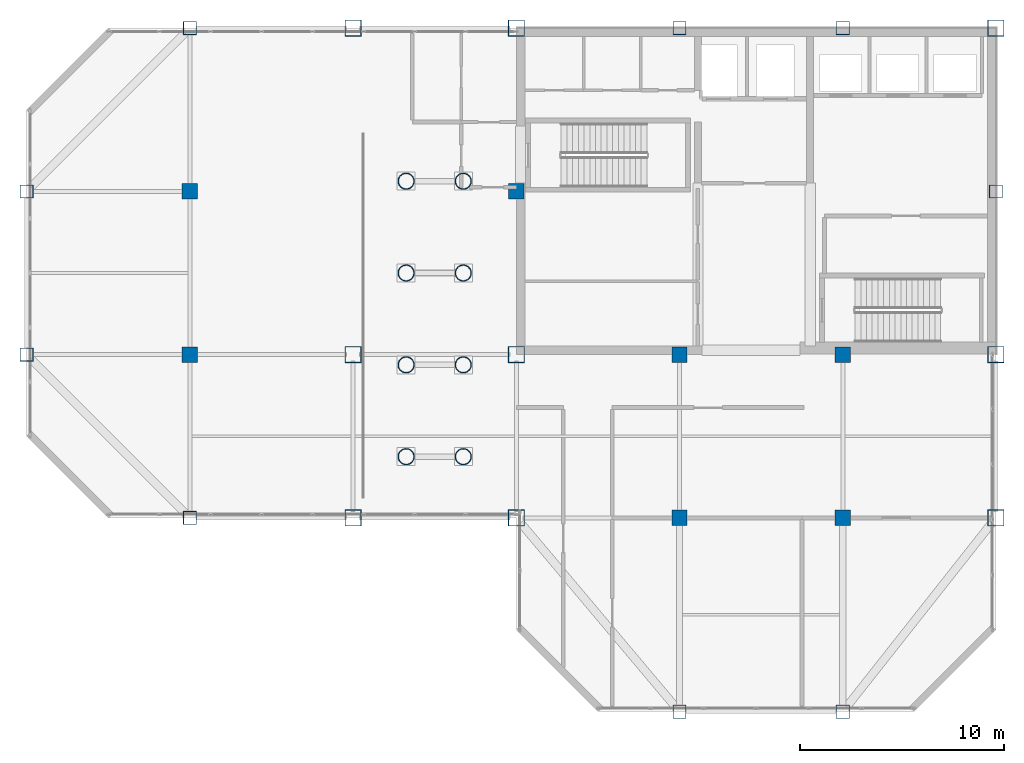
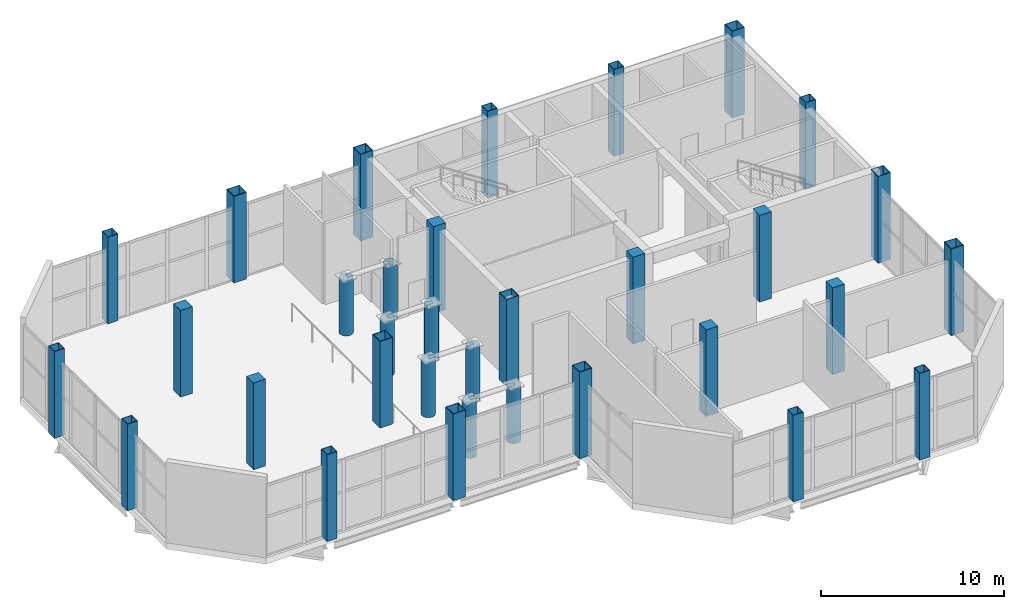
# One storey, part 1 of 18: 33 columns.
"""IFC4 building model written with IfcOpenShell, lengths in metres."""

from ifc_helpers import new_model, si_unit, direction, frame, origin, origin_2d, place, context, subcontext, project, spatial, rectangle, hollow_rectangle, hollow_circle, extrude, material, material_profile, profile_set, type_object, element, save


model = new_model("IFC4")

# Units and contexts
model_context = context("Model", 3, precision=1e-05, world=origin(), true_north=direction((0.0, 1.0)))
body_context = subcontext(model_context, "Body", "Model", "MODEL_VIEW")
ifc_project = project(units=[si_unit("LENGTHUNIT", "METRE"), si_unit("AREAUNIT", "SQUARE_METRE"), si_unit("VOLUMEUNIT", "CUBIC_METRE"), si_unit("PLANEANGLEUNIT", "RADIAN"), si_unit("MASSUNIT", "GRAM", prefix="KILO")], contexts=[model_context])

# Site, building, storey
site_placement = place(None, origin())
site = spatial("IfcSite", under=ifc_project, at=site_placement, CompositionType="ELEMENT")
building_placement = place(site_placement, origin())
building = spatial("IfcBuilding", under=site, at=building_placement, Name="Qianrong Seaharbour Tower", CompositionType="ELEMENT")
storey_placement = place(building_placement, frame((0.0, 0.0, 367.199951171875)))
storey = spatial("IfcBuildingStorey", under=building, at=storey_placement, Name="L89", CompositionType="ELEMENT", Elevation=367.199951171875)

# Columns
ifc_material_1 = material(Name="Structural steel SN490B", Category="steel")
ifc_material_profile_1 = material_profile(ifc_material_1, hollow_rectangle(XDim=0.800048828125, YDim=0.800048828125, WallThickness=0.031982421875, at=origin_2d()), Name="BOX800x800x32")
ifc_profile_set_1 = profile_set([ifc_material_profile_1], Name="Structural steel SN490B")
column_type_1 = type_object("IfcColumnType", Name="COL-CFT-800", PredefinedType="COLUMN", material=ifc_profile_set_1)
for number, where, z_axis, x_axis, name in (
    (1, (32.5, 28.0, 0.0), (0.0, 0.0, 1.0), (1.0, 0.0, 0.0), "L89 Column MC-5 at G5/GE"),
    (2, (32.5, 36.0, 0.0), (0.0, 0.0, 1.0), (1.0, 0.0, 0.0), "L89 Column MC-5 at G5/GF"),
    (3, (32.5, 52.0, 0.0), (0.0, 0.0, 1.0), (1.0, 0.0, 0.0), "L89 Column MC-5 at G5/GH"),
    (4, (40.5, 28.0, 0.0), (0.0, 0.0, 1.0), (1.0, 0.0, 0.0), "L89 Column MC-5 at G6/GE"),
    (5, (40.5, 36.0, 0.0), (0.0, 0.0, 1.0), (1.0, 0.0, 0.0), "L89 Column MC-5 at G6/GF"),
    (6, (40.5, 52.0, 0.0), (0.0, 0.0, 1.0), (1.0, 0.0, 0.0), "L89 Column MC-5 at G6/GH"),
    (7, (64.0, 28.0, 0.0), (0.0, 0.0, 1.0), (1.0, 0.0, 0.0), "L89 Column MC-5 at G9/GE"),
    (8, (64.0, 36.0, 0.0), (0.0, 0.0, 1.0), (1.0, 0.0, 0.0), "L89 Column MC-5 at G9/GF"),
    (9, (64.0, 52.0, 0.0), (0.0, 0.0, 1.0), (1.0, 0.0, 0.0), "L89 Column MC-5 at G9/GH"),
):
    element("IfcColumn", number, at=place(storey_placement, frame(where, z_axis=z_axis, x_axis=x_axis)), inside=storey, type_object=column_type_1, Name=name, PredefinedType="COLUMN", context=body_context, shape_type="SweptSolid", body=[
        extrude(hollow_rectangle(XDim=0.800048828125, YDim=0.800048828125, WallThickness=0.031982421875, at=origin_2d()), origin(), (0.0, 0.0, 1.0), 5.800048828125),
    ])
ifc_material_profile_2 = material_profile(ifc_material_1, hollow_circle(Radius=0.39990234375, WallThickness=0.028076171875, at=origin_2d()), Name="CHS800x28")
ifc_profile_set_2 = profile_set([ifc_material_profile_2], Name="Structural steel SN490B")
column_type_2 = type_object("IfcColumnType", Name="COL-CHS-800", PredefinedType="COLUMN", material=ifc_profile_set_2)
for number, where, z_axis, x_axis, name in (
    (10, (35.10009765625, 31.0, 0.0), (0.0, 0.0, 1.0), (1.0, 0.0, 0.0), "L89 Venturi Wind Turbine Pedestal WT-1W"),
    (11, (37.89990234375, 31.0, 0.0), (0.0, 0.0, 1.0), (1.0, 0.0, 0.0), "L89 Venturi Wind Turbine Pedestal WT-1E"),
    (12, (35.10009765625, 35.5, 0.0), (0.0, 0.0, 1.0), (1.0, 0.0, 0.0), "L89 Venturi Wind Turbine Pedestal WT-2W"),
    (13, (37.89990234375, 35.5, 0.0), (0.0, 0.0, 1.0), (1.0, 0.0, 0.0), "L89 Venturi Wind Turbine Pedestal WT-2E"),
    (14, (35.10009765625, 40.0, 0.0), (0.0, 0.0, 1.0), (1.0, 0.0, 0.0), "L89 Venturi Wind Turbine Pedestal WT-3W"),
    (15, (37.89990234375, 40.0, 0.0), (0.0, 0.0, 1.0), (1.0, 0.0, 0.0), "L89 Venturi Wind Turbine Pedestal WT-3E"),
    (16, (35.10009765625, 44.5, 0.0), (0.0, 0.0, 1.0), (1.0, 0.0, 0.0), "L89 Venturi Wind Turbine Pedestal WT-4W"),
    (17, (37.89990234375, 44.5, 0.0), (0.0, 0.0, 1.0), (1.0, 0.0, 0.0), "L89 Venturi Wind Turbine Pedestal WT-4E"),
):
    element("IfcColumn", number, at=place(storey_placement, frame(where, z_axis=z_axis, x_axis=x_axis)), inside=storey, type_object=column_type_2, Name=name, PredefinedType="COLUMN", context=body_context, shape_type="SweptSolid", body=[
        extrude(hollow_circle(Radius=0.39990234375, WallThickness=0.028076171875, at=origin_2d()), origin(), (0.0, 0.0, 1.0), 3.699951171875),
    ])
ifc_material_2 = material(Name="Concrete C50/60", Category="concrete")
ifc_material_profile_3 = material_profile(ifc_material_2, rectangle(XDim=0.75, YDim=0.75, at=origin_2d()), Name="RC750x750")
ifc_profile_set_3 = profile_set([ifc_material_profile_3], Name="Concrete C50/60")
column_type_3 = type_object("IfcColumnType", Name="COL-INT-RC750", PredefinedType="COLUMN", material=ifc_profile_set_3)
for number, where, z_axis, x_axis, name in (
    (18, (24.5, 36.0, 0.0), (0.0, 0.0, 1.0), (1.0, 0.0, 0.0), "L89 Column IC-4 at G4/GF"),
    (19, (24.5, 44.0, 0.0), (0.0, 0.0, 1.0), (1.0, 0.0, 0.0), "L89 Column IC-4 at G4/GG"),
    (20, (40.5, 44.0, 0.0), (0.0, 0.0, 1.0), (1.0, 0.0, 0.0), "L89 Column IC-4 at G6/GG"),
    (21, (48.5, 28.0, 0.0), (0.0, 0.0, 1.0), (1.0, 0.0, 0.0), "L89 Column IC-4 at G7/GE"),
    (22, (48.5, 36.0, 0.0), (0.0, 0.0, 1.0), (1.0, 0.0, 0.0), "L89 Column IC-4 at G7/GF"),
    (23, (56.5, 28.0, 0.0), (0.0, 0.0, 1.0), (1.0, 0.0, 0.0), "L89 Column IC-4 at G8/GE"),
    (24, (56.5, 36.0, 0.0), (0.0, 0.0, 1.0), (1.0, 0.0, 0.0), "L89 Column IC-4 at G8/GF"),
):
    element("IfcColumn", number, at=place(storey_placement, frame(where, z_axis=z_axis, x_axis=x_axis)), inside=storey, type_object=column_type_3, Name=name, PredefinedType="COLUMN", context=body_context, shape_type="SweptSolid", body=[
        extrude(rectangle(XDim=0.75, YDim=0.75, at=origin_2d()), origin(), (0.0, 0.0, 1.0), 5.800048828125),
    ])
ifc_material_3 = material(Name="Structural steel SN400B", Category="steel")
ifc_material_profile_4 = material_profile(ifc_material_3, hollow_rectangle(XDim=0.64990234375, YDim=0.64990234375, WallThickness=0.028076171875, at=origin_2d()), Name="BOX650x650x28")
ifc_profile_set_4 = profile_set([ifc_material_profile_4], Name="Structural steel SN400B")
column_type_4 = type_object("IfcColumnType", Name="COL-PER-650", PredefinedType="COLUMN", material=ifc_profile_set_4)
for number, where, z_axis, x_axis, name in (
    (25, (16.5, 36.0, 0.0), (0.0, 0.0, 1.0), (1.0, 0.0, 0.0), "L89 Column PC-4 at G3/GF"),
    (26, (16.5, 44.0, 0.0), (0.0, 0.0, 1.0), (1.0, 0.0, 0.0), "L89 Column PC-4 at G3/GG"),
    (27, (24.5, 28.0, 0.0), (0.0, 0.0, 1.0), (1.0, 0.0, 0.0), "L89 Column PC-4 at G4/GE"),
    (28, (24.5, 52.0, 0.0), (0.0, 0.0, 1.0), (1.0, 0.0, 0.0), "L89 Column PC-4 at G4/GH"),
    (29, (48.5, 18.5, 0.0), (0.0, 0.0, 1.0), (1.0, 0.0, 0.0), "L89 Column PC-4 at G7/GD"),
    (30, (48.5, 52.0, 0.0), (0.0, 0.0, 1.0), (1.0, 0.0, 0.0), "L89 Column PC-4 at G7/GH"),
    (31, (56.5, 18.5, 0.0), (0.0, 0.0, 1.0), (1.0, 0.0, 0.0), "L89 Column PC-4 at G8/GD"),
    (32, (56.5, 52.0, 0.0), (0.0, 0.0, 1.0), (1.0, 0.0, 0.0), "L89 Column PC-4 at G8/GH"),
    (33, (64.0, 44.0, 0.0), (0.0, 0.0, 1.0), (1.0, 0.0, 0.0), "L89 Column PC-4 at G9/GG"),
):
    element("IfcColumn", number, at=place(storey_placement, frame(where, z_axis=z_axis, x_axis=x_axis)), inside=storey, type_object=column_type_4, Name=name, PredefinedType="COLUMN", context=body_context, shape_type="SweptSolid", body=[
        extrude(hollow_rectangle(XDim=0.64990234375, YDim=0.64990234375, WallThickness=0.028076171875, at=origin_2d()), origin(), (0.0, 0.0, 1.0), 5.800048828125),
    ])

save(model, "model.ifc")
